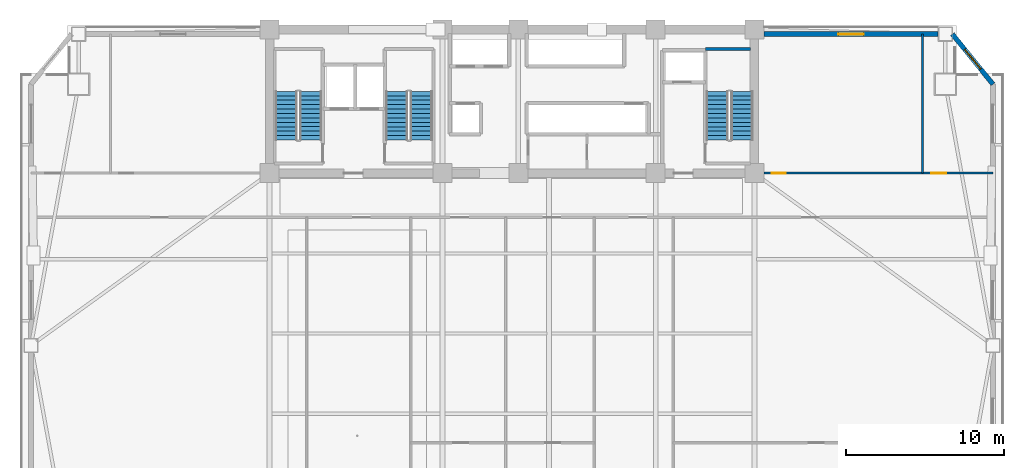
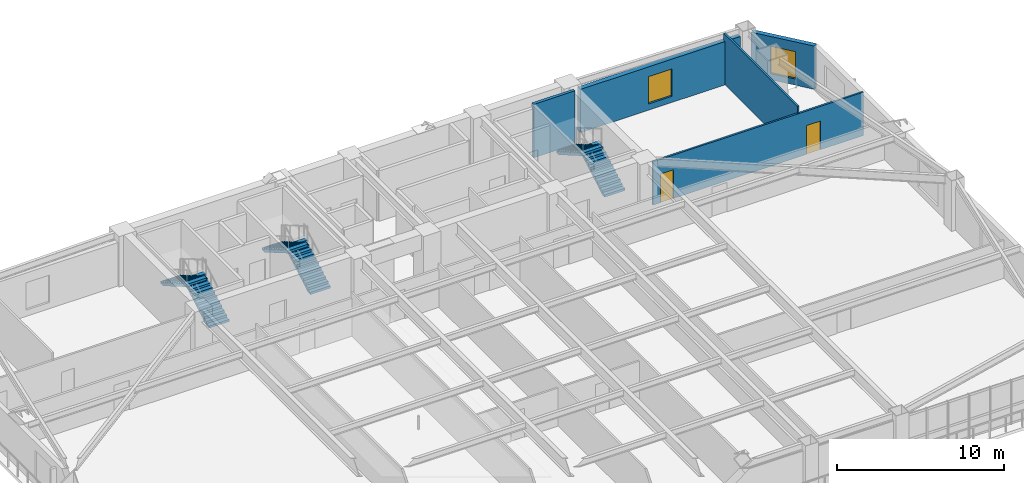
# One storey, part 10 of 15: 6 stair flights, 5 walls, 2 doors, 2 windows, 4 openings, 3 elements without a shape of their own.
"""IFC4 building model written with IfcOpenShell, lengths in metres."""

from ifc_helpers import new_model, si_unit, direction, frame, frame_2d, origin, place, context, subcontext, project, spatial, polyline, rectangle, outline, extrude, source, transform, mapped, material, layer, layer_set, type_object, element, fill, aggregate, save


model = new_model("IFC4")

# Units and contexts
model_context = context("Model", 3, precision=1e-05, world=origin(), true_north=direction((0.0, 1.0)))
body_context = subcontext(model_context, "Body", "Model", "MODEL_VIEW")
ifc_project = project(units=[si_unit("LENGTHUNIT", "METRE"), si_unit("AREAUNIT", "SQUARE_METRE"), si_unit("VOLUMEUNIT", "CUBIC_METRE"), si_unit("PLANEANGLEUNIT", "RADIAN"), si_unit("MASSUNIT", "GRAM", prefix="KILO")], contexts=[model_context])

# Site, building, storey
site_placement = place(None, origin())
site = spatial("IfcSite", under=ifc_project, at=site_placement, CompositionType="ELEMENT")
building_placement = place(site_placement, origin())
building = spatial("IfcBuilding", under=site, at=building_placement, Name="Giltprow Tower", CompositionType="ELEMENT")
storey_placement = place(building_placement, frame((0.0, 0.0, 115.300048828125)))
storey = spatial("IfcBuildingStorey", under=building, at=storey_placement, Name="L28", CompositionType="ELEMENT", Elevation=115.300048828125)

# Wall, opening, window
ifc_material_1 = material(Name="Precast concrete C40", Category="concrete")
ifc_layer_1 = layer(ifc_material_1, 0.300048828125, Name="Precast concrete C40")
ifc_layer_set_1 = layer_set([ifc_layer_1], Name="Precast concrete C40")
wall_type_1 = type_object("IfcWallType", Name="EW-NOTCH-CHAMFER-300", PredefinedType="SOLIDWALL", material=ifc_layer_set_1)
wall_1_placement = place(storey_placement, frame((65.656005859375, 43.0830078125, 0.0), z_axis=(0.0, 0.0, 1.0), x_axis=(-0.629663274091, 0.776868174957, 0.0)))
wall_1 = element("IfcWall", 1, at=wall_1_placement, inside=storey, type_object=wall_type_1, Name="L28 Corner Notch Wall NE", PredefinedType="SOLIDWALL", context=body_context, shape_type="SweptSolid", body=[
    extrude(rectangle(XDim=4.07666015625, YDim=0.300048828125, at=frame_2d((2.038330078125, 0.0))), origin(), (0.0, 0.0, 1.0), 3.159912109375),
])
opening_1_placement = place(wall_1_placement, frame((1.238037109375, 0.0, 0.449951171875)))
opening_1 = element("IfcOpeningElement", 2, at=opening_1_placement, cuts=wall_1, Name="Opening WN17", PredefinedType="OPENING", context=body_context, shape_type="SweptSolid", body=[
    extrude(rectangle(XDim=1.60009765625, YDim=2.0, at=frame_2d((0.800048828125, 1.0))), frame((0.0, 0.159912109375, 0.0), z_axis=(0.0, -1.0, 0.0), x_axis=(1.0, 0.0, 0.0)), (0.0, 0.0, 1.0), 0.320068359375),
])
ifc_material_2 = material(Name="Insulated glass", Category="glass")
window_type = type_object("IfcWindowType", Name="WN-COR-1600x2000", PartitioningType="SINGLE_PANEL", PredefinedType="WINDOW", material=ifc_material_2)
shared_shape_1 = source(origin(), body_context, "Body", "SweptSolid", [
    extrude(rectangle(XDim=1.60009765625, YDim=2.0, at=frame_2d((0.800048828125, 1.0))), frame((0.0, 0.030029296875, 0.0), z_axis=(0.0, -1.0, 0.0), x_axis=(1.0, 0.0, 0.0)), (0.0, 0.0, 1.0), 0.06005859375),
])
window_1_placement = place(opening_1_placement, origin())
window_1 = element("IfcWindow", 3, at=window_1_placement, inside=storey, type_object=window_type, Name="L28 Corner Notch Window NE", OverallHeight=2.0, OverallWidth=1.60009765625, PartitioningType="SINGLE_PANEL", PredefinedType="WINDOW", context=body_context, shape_type="MappedRepresentation", body=[
    mapped(shared_shape_1, transform((0.0, 0.0, 0.0), x_axis=(1.0, 0.0, 0.0), y_axis=(0.0, 1.0, 0.0), z_axis=(0.0, 0.0, 1.0), scale=1.0)),
])
fill(opening_1, window_1)

ifc_layer_2 = layer(ifc_material_1, 0.320068359375, Name="Precast concrete C40")
ifc_layer_set_2 = layer_set([ifc_layer_2], Name="Precast concrete C40")
wall_type_2 = type_object("IfcWallType", Name="EW-TOW-STONE-320", PredefinedType="SOLIDWALL", material=ifc_layer_set_2)
wall_2_placement = place(storey_placement, frame((51.14990234375, 46.25, 0.0), z_axis=(0.0, 0.0, 1.0), x_axis=(1.0, 0.0, 0.0)))
wall_2 = element("IfcWall", 4, at=wall_2_placement, inside=storey, type_object=wall_type_2, Name="L28 North-East Wing Wall", PredefinedType="SOLIDWALL", context=body_context, shape_type="SweptSolid", body=[
    extrude(rectangle(XDim=11.0390625, YDim=0.320068359375, at=frame_2d((5.51953125, 0.0))), origin(), (0.0, 0.0, 1.0), 3.159912109375),
])
opening_2_placement = place(wall_2_placement, frame((4.719970703125, 0.0, 0.449951171875)))
opening_2 = element("IfcOpeningElement", 5, at=opening_2_placement, cuts=wall_2, Name="Opening WN17", PredefinedType="OPENING", context=body_context, shape_type="SweptSolid", body=[
    extrude(rectangle(XDim=1.60009765625, YDim=2.0, at=frame_2d((0.800048828125, 1.0))), frame((0.0, 0.169921875, 0.0), z_axis=(0.0, -1.0, 0.0), x_axis=(1.0, 0.0, 0.0)), (0.0, 0.0, 1.0), 0.340087890625),
])
window_2_placement = place(opening_2_placement, origin())
window_2 = element("IfcWindow", 6, at=window_2_placement, inside=storey, type_object=window_type, Name="L28 North-East Window", OverallHeight=2.0, OverallWidth=1.60009765625, PartitioningType="SINGLE_PANEL", PredefinedType="WINDOW", context=body_context, shape_type="MappedRepresentation", body=[
    mapped(shared_shape_1, transform((0.0, 0.0, 0.0), x_axis=(1.0, 0.0, 0.0), y_axis=(0.0, 1.0, 0.0), z_axis=(0.0, 0.0, 1.0), scale=1.0)),
])
fill(opening_2, window_2)

# Wall
ifc_material_3 = material(Name="Concrete C40", Category="concrete")
ifc_layer_3 = layer(ifc_material_3, 0.199951171875, Name="Concrete C40")
ifc_layer_set_3 = layer_set([ifc_layer_3], Name="Concrete C40")
wall_type_3 = type_object("IfcWallType", Name="IW-STAIR-200", PredefinedType="SOLIDWALL", material=ifc_layer_set_3)
wall_3_placement = place(storey_placement, frame((47.43994140625, 45.320068359375, 0.0), z_axis=(0.0, 0.0, 1.0), x_axis=(1.0, 0.0, 0.0)))
element("IfcWall", 7, at=wall_3_placement, inside=storey, type_object=wall_type_3, Name="L28 Stair ST-3 North Bearing Wall", PredefinedType="SOLIDWALL", context=body_context, shape_type="SweptSolid", body=[
    extrude(rectangle(XDim=2.85498046875, YDim=0.199951171875, at=frame_2d((1.427490234375, 0.0))), origin(), (0.0, 0.0, 1.0), 3.89990234375),
])

# Wall, openings, doors
ifc_material_4 = material(Name="Concrete C30", Category="concrete")
ifc_layer_4 = layer(ifc_material_4, 0.1298828125, Name="Concrete C30")
ifc_layer_set_4 = layer_set([ifc_layer_4], Name="Concrete C30")
wall_type_4 = type_object("IfcWallType", Name="IW-WET-130", PredefinedType="PARTITIONING", material=ifc_layer_set_4)
wall_4_placement = place(storey_placement, frame((51.14990234375, 37.449951171875, 0.0), z_axis=(0.0, 0.0, 1.0), x_axis=(1.0, 0.0, 0.0)))
wall_4 = element("IfcWall", 8, at=wall_4_placement, inside=storey, type_object=wall_type_4, Name="L28 NE Wing South Wall", PredefinedType="PARTITIONING", context=body_context, shape_type="SweptSolid", body=[
    extrude(rectangle(XDim=14.506103515625, YDim=0.1298828125, at=frame_2d((7.2529296875, 0.0))), origin(), (0.0, 0.0, 1.0), 3.1650390625),
])
opening_3_placement = place(wall_4_placement, frame((0.5, 0.0, 0.0)))
opening_3 = element("IfcOpeningElement", 9, at=opening_3_placement, cuts=wall_4, Name="Opening ID15", PredefinedType="OPENING", context=body_context, shape_type="SweptSolid", body=[
    extrude(rectangle(XDim=0.89990234375, YDim=2.10009765625, at=frame_2d((0.449951171875, 1.050048828125))), frame((0.0, 0.074951171875, 0.0), z_axis=(0.0, -1.0, 0.0), x_axis=(1.0, 0.0, 0.0)), (0.0, 0.0, 1.0), 0.14990234375),
])
opening_4_placement = place(wall_4_placement, frame((10.593994140625, 0.0, 0.0)))
opening_4 = element("IfcOpeningElement", 10, at=opening_4_placement, cuts=wall_4, Name="Opening ID11", PredefinedType="OPENING", context=body_context, shape_type="SweptSolid", body=[
    extrude(rectangle(XDim=0.949951171875, YDim=2.10009765625, at=frame_2d((0.47509765625, 1.050048828125))), frame((0.0, 0.074951171875, 0.0), z_axis=(0.0, -1.0, 0.0), x_axis=(1.0, 0.0, 0.0)), (0.0, 0.0, 1.0), 0.14990234375),
])
ifc_material_5 = material(Name="Engineered timber", Category="wood")
door_type_1 = type_object("IfcDoorType", Name="DR-WC-900", OperationType="SINGLE_SWING_LEFT", PredefinedType="DOOR", material=ifc_material_5)
shared_shape_2 = source(origin(), body_context, "Body", "SweptSolid", [
    extrude(rectangle(XDim=0.89990234375, YDim=2.10009765625, at=frame_2d((0.449951171875, 1.050048828125))), frame((0.0, 0.02490234375, 0.0), z_axis=(0.0, -1.0, 0.0), x_axis=(1.0, 0.0, 0.0)), (0.0, 0.0, 1.0), 0.050048828125),
])
door_1_placement = place(opening_3_placement, origin())
door_1 = element("IfcDoor", 11, at=door_1_placement, inside=storey, type_object=door_type_1, Name="L28 East Wing Washroom Door", OperationType="SINGLE_SWING_RIGHT", OverallHeight=2.10009765625, OverallWidth=0.89990234375, PredefinedType="DOOR", context=body_context, shape_type="MappedRepresentation", body=[
    mapped(shared_shape_2, transform((0.0, 0.0, 0.0), x_axis=(1.0, 0.0, 0.0), y_axis=(0.0, 1.0, 0.0), z_axis=(0.0, 0.0, 1.0), scale=1.0)),
])
fill(opening_3, door_1)
door_type_2 = type_object("IfcDoorType", Name="DR-ROOM-950", OperationType="SINGLE_SWING_RIGHT", PredefinedType="DOOR", material=ifc_material_5)
shared_shape_3 = source(origin(), body_context, "Body", "SweptSolid", [
    extrude(rectangle(XDim=0.949951171875, YDim=2.10009765625, at=frame_2d((0.47509765625, 1.050048828125))), frame((0.0, 0.02490234375, 0.0), z_axis=(0.0, -1.0, 0.0), x_axis=(1.0, 0.0, 0.0)), (0.0, 0.0, 1.0), 0.050048828125),
])
door_2_placement = place(opening_4_placement, origin())
door_2 = element("IfcDoor", 12, at=door_2_placement, inside=storey, type_object=door_type_2, Name="L28 East Tenant Archive Store Door", OperationType="SINGLE_SWING_LEFT", OverallHeight=2.10009765625, OverallWidth=0.949951171875, PredefinedType="DOOR", context=body_context, shape_type="MappedRepresentation", body=[
    mapped(shared_shape_3, transform((0.0, 0.0, 0.0), x_axis=(1.0, 0.0, 0.0), y_axis=(0.0, 1.0, 0.0), z_axis=(0.0, 0.0, 1.0), scale=1.0)),
])
fill(opening_4, door_2)

# Wall
wall_5_placement = place(storey_placement, frame((61.194091796875, 37.449951171875, 0.0), z_axis=(0.0, 0.0, 1.0), x_axis=(0.0, 1.0, 0.0)))
element("IfcWall", 13, at=wall_5_placement, inside=storey, type_object=wall_type_4, Name="L28 NE Wing Divider", PredefinedType="PARTITIONING", context=body_context, shape_type="SweptSolid", body=[
    extrude(rectangle(XDim=8.800048828125, YDim=0.1298828125, at=frame_2d((4.39990234375, 0.0))), origin(), (0.0, 0.0, 1.0), 3.679931640625),
])

# Stair, stair flights
stair_type_1 = type_object("IfcStairType", Name="STR-ST-1", PredefinedType="HALF_TURN_STAIR", material=ifc_material_3)
stair_1_placement = place(storey_placement, origin())
stair_1 = element("IfcStair", 14, at=stair_1_placement, inside=storey, type_object=stair_type_1, Name="L28 Core Exit Stair ST-1", PredefinedType="HALF_TURN_STAIR")
stair_flight_type_1 = type_object("IfcStairFlightType", Name="SFL-ST-1", PredefinedType="STRAIGHT", material=ifc_material_3)
stair_flight_1_placement = place(storey_placement, frame((22.4599609375, 39.550048828125, 0.0), z_axis=(0.0, 0.0, 1.0), x_axis=(0.0, 1.0, 0.0)))
stair_flight_1 = element("IfcStairFlight", 15, at=stair_flight_1_placement, type_object=stair_flight_type_1, Name="ST-1 flight 1", NumberOfRisers=12, NumberOfTreads=11, PredefinedType="STRAIGHT", RiserHeight=0.1625, TreadLength=0.28, context=body_context, shape_type="SweptSolid", body=[
    extrude(outline(polyline([(0.0, 0.0), (0.0, 0.16259765625), (0.280029296875, 0.16259765625), (0.280029296875, 0.324951171875), (0.56005859375, 0.324951171875), (0.56005859375, 0.487548828125), (0.840087890625, 0.487548828125), (0.840087890625, 0.64990234375), (1.1201171875, 0.64990234375), (1.1201171875, 0.8125), (1.39990234375, 0.8125), (1.39990234375, 0.97509765625), (1.679931640625, 0.97509765625), (1.679931640625, 1.137451171875), (1.9599609375, 1.137451171875), (1.9599609375, 1.300048828125), (2.239990234375, 1.300048828125), (2.239990234375, 1.46240234375), (2.52001953125, 1.46240234375), (2.52001953125, 1.625), (2.800048828125, 1.625), (2.800048828125, 1.78759765625), (3.080078125, 1.78759765625), (3.080078125, 1.949951171875), (3.080078125, 1.6142578125), (0.298583984375, 0.0), (0.0, 0.0)])), frame((0.0, 0.699951171875, 0.0), z_axis=(0.0, -1.0, 0.0), x_axis=(1.0, 0.0, 0.0)), (0.0, 0.0, 1.0), 1.39990234375),
])
stair_flight_2_placement = place(storey_placement, frame((20.89990234375, 42.6298828125, 1.949951171875), z_axis=(0.0, 0.0, 1.0), x_axis=(0.0, -1.0, 0.0)))
stair_flight_2 = element("IfcStairFlight", 16, at=stair_flight_2_placement, type_object=stair_flight_type_1, Name="ST-1 flight 2", NumberOfRisers=12, NumberOfTreads=11, PredefinedType="STRAIGHT", RiserHeight=0.1625, TreadLength=0.28, context=body_context, shape_type="SweptSolid", body=[
    extrude(outline(polyline([(0.0, 0.0), (0.0, 0.16259765625), (0.280029296875, 0.16259765625), (0.280029296875, 0.324951171875), (0.56005859375, 0.324951171875), (0.56005859375, 0.487548828125), (0.840087890625, 0.487548828125), (0.840087890625, 0.64990234375), (1.1201171875, 0.64990234375), (1.1201171875, 0.8125), (1.39990234375, 0.8125), (1.39990234375, 0.97509765625), (1.679931640625, 0.97509765625), (1.679931640625, 1.137451171875), (1.9599609375, 1.137451171875), (1.9599609375, 1.300048828125), (2.239990234375, 1.300048828125), (2.239990234375, 1.46240234375), (2.52001953125, 1.46240234375), (2.52001953125, 1.625), (2.800048828125, 1.625), (2.800048828125, 1.78759765625), (3.080078125, 1.78759765625), (3.080078125, 1.949951171875), (3.080078125, 1.6142578125), (0.298583984375, 0.0), (0.0, 0.0)])), frame((0.0, 0.699951171875, 0.0), z_axis=(0.0, -1.0, 0.0), x_axis=(1.0, 0.0, 0.0)), (0.0, 0.0, 1.0), 1.39990234375),
])
aggregate(stair_1, [stair_flight_1, stair_flight_2])

stair_type_2 = type_object("IfcStairType", Name="STR-ST-2", PredefinedType="HALF_TURN_STAIR", material=ifc_material_3)
stair_2_placement = place(storey_placement, origin())
stair_2 = element("IfcStair", 17, at=stair_2_placement, inside=storey, type_object=stair_type_2, Name="L28 Core Exit Stair ST-2", PredefinedType="HALF_TURN_STAIR")
stair_flight_type_2 = type_object("IfcStairFlightType", Name="SFL-ST-2", PredefinedType="STRAIGHT", material=ifc_material_3)
stair_flight_3_placement = place(storey_placement, frame((29.4599609375, 39.550048828125, 0.0), z_axis=(0.0, 0.0, 1.0), x_axis=(0.0, 1.0, 0.0)))
stair_flight_3 = element("IfcStairFlight", 18, at=stair_flight_3_placement, type_object=stair_flight_type_2, Name="ST-2 flight 1", NumberOfRisers=12, NumberOfTreads=11, PredefinedType="STRAIGHT", RiserHeight=0.1625, TreadLength=0.28, context=body_context, shape_type="SweptSolid", body=[
    extrude(outline(polyline([(0.0, 0.0), (0.0, 0.16259765625), (0.280029296875, 0.16259765625), (0.280029296875, 0.324951171875), (0.56005859375, 0.324951171875), (0.56005859375, 0.487548828125), (0.840087890625, 0.487548828125), (0.840087890625, 0.64990234375), (1.1201171875, 0.64990234375), (1.1201171875, 0.8125), (1.39990234375, 0.8125), (1.39990234375, 0.97509765625), (1.679931640625, 0.97509765625), (1.679931640625, 1.137451171875), (1.9599609375, 1.137451171875), (1.9599609375, 1.300048828125), (2.239990234375, 1.300048828125), (2.239990234375, 1.46240234375), (2.52001953125, 1.46240234375), (2.52001953125, 1.625), (2.800048828125, 1.625), (2.800048828125, 1.78759765625), (3.080078125, 1.78759765625), (3.080078125, 1.949951171875), (3.080078125, 1.6142578125), (0.298583984375, 0.0), (0.0, 0.0)])), frame((0.0, 0.699951171875, 0.0), z_axis=(0.0, -1.0, 0.0), x_axis=(1.0, 0.0, 0.0)), (0.0, 0.0, 1.0), 1.39990234375),
])
stair_flight_4_placement = place(storey_placement, frame((27.89990234375, 42.6298828125, 1.949951171875), z_axis=(0.0, 0.0, 1.0), x_axis=(0.0, -1.0, 0.0)))
stair_flight_4 = element("IfcStairFlight", 19, at=stair_flight_4_placement, type_object=stair_flight_type_2, Name="ST-2 flight 2", NumberOfRisers=12, NumberOfTreads=11, PredefinedType="STRAIGHT", RiserHeight=0.1625, TreadLength=0.28, context=body_context, shape_type="SweptSolid", body=[
    extrude(outline(polyline([(0.0, 0.0), (0.0, 0.16259765625), (0.280029296875, 0.16259765625), (0.280029296875, 0.324951171875), (0.56005859375, 0.324951171875), (0.56005859375, 0.487548828125), (0.840087890625, 0.487548828125), (0.840087890625, 0.64990234375), (1.1201171875, 0.64990234375), (1.1201171875, 0.8125), (1.39990234375, 0.8125), (1.39990234375, 0.97509765625), (1.679931640625, 0.97509765625), (1.679931640625, 1.137451171875), (1.9599609375, 1.137451171875), (1.9599609375, 1.300048828125), (2.239990234375, 1.300048828125), (2.239990234375, 1.46240234375), (2.52001953125, 1.46240234375), (2.52001953125, 1.625), (2.800048828125, 1.625), (2.800048828125, 1.78759765625), (3.080078125, 1.78759765625), (3.080078125, 1.949951171875), (3.080078125, 1.6142578125), (0.298583984375, 0.0), (0.0, 0.0)])), frame((0.0, 0.699951171875, 0.0), z_axis=(0.0, -1.0, 0.0), x_axis=(1.0, 0.0, 0.0)), (0.0, 0.0, 1.0), 1.39990234375),
])
aggregate(stair_2, [stair_flight_3, stair_flight_4])

stair_type_3 = type_object("IfcStairType", Name="STR-ST-3", PredefinedType="HALF_TURN_STAIR", material=ifc_material_3)
stair_3_placement = place(storey_placement, origin())
stair_3 = element("IfcStair", 20, at=stair_3_placement, inside=storey, type_object=stair_type_3, Name="L28 Core Exit Stair ST-3", PredefinedType="HALF_TURN_STAIR")
stair_flight_type_3 = type_object("IfcStairFlightType", Name="SFL-ST-3", PredefinedType="STRAIGHT", material=ifc_material_3)
stair_flight_5_placement = place(storey_placement, frame((49.760009765625, 39.550048828125, 0.0), z_axis=(0.0, 0.0, 1.0), x_axis=(0.0, 1.0, 0.0)))
stair_flight_5 = element("IfcStairFlight", 21, at=stair_flight_5_placement, type_object=stair_flight_type_3, Name="ST-3 flight 1", NumberOfRisers=12, NumberOfTreads=11, PredefinedType="STRAIGHT", RiserHeight=0.1625, TreadLength=0.28, context=body_context, shape_type="SweptSolid", body=[
    extrude(outline(polyline([(0.0, 0.0), (0.0, 0.16259765625), (0.280029296875, 0.16259765625), (0.280029296875, 0.324951171875), (0.56005859375, 0.324951171875), (0.56005859375, 0.487548828125), (0.840087890625, 0.487548828125), (0.840087890625, 0.64990234375), (1.1201171875, 0.64990234375), (1.1201171875, 0.8125), (1.39990234375, 0.8125), (1.39990234375, 0.97509765625), (1.679931640625, 0.97509765625), (1.679931640625, 1.137451171875), (1.9599609375, 1.137451171875), (1.9599609375, 1.300048828125), (2.239990234375, 1.300048828125), (2.239990234375, 1.46240234375), (2.52001953125, 1.46240234375), (2.52001953125, 1.625), (2.800048828125, 1.625), (2.800048828125, 1.78759765625), (3.080078125, 1.78759765625), (3.080078125, 1.949951171875), (3.080078125, 1.6142578125), (0.298583984375, 0.0), (0.0, 0.0)])), frame((0.0, 0.699951171875, 0.0), z_axis=(0.0, -1.0, 0.0), x_axis=(1.0, 0.0, 0.0)), (0.0, 0.0, 1.0), 1.39990234375),
])
stair_flight_6_placement = place(storey_placement, frame((48.199951171875, 42.6298828125, 1.949951171875), z_axis=(0.0, 0.0, 1.0), x_axis=(0.0, -1.0, 0.0)))
stair_flight_6 = element("IfcStairFlight", 22, at=stair_flight_6_placement, type_object=stair_flight_type_3, Name="ST-3 flight 2", NumberOfRisers=12, NumberOfTreads=11, PredefinedType="STRAIGHT", RiserHeight=0.1625, TreadLength=0.28, context=body_context, shape_type="SweptSolid", body=[
    extrude(outline(polyline([(0.0, 0.0), (0.0, 0.16259765625), (0.280029296875, 0.16259765625), (0.280029296875, 0.324951171875), (0.56005859375, 0.324951171875), (0.56005859375, 0.487548828125), (0.840087890625, 0.487548828125), (0.840087890625, 0.64990234375), (1.1201171875, 0.64990234375), (1.1201171875, 0.8125), (1.39990234375, 0.8125), (1.39990234375, 0.97509765625), (1.679931640625, 0.97509765625), (1.679931640625, 1.137451171875), (1.9599609375, 1.137451171875), (1.9599609375, 1.300048828125), (2.239990234375, 1.300048828125), (2.239990234375, 1.46240234375), (2.52001953125, 1.46240234375), (2.52001953125, 1.625), (2.800048828125, 1.625), (2.800048828125, 1.78759765625), (3.080078125, 1.78759765625), (3.080078125, 1.949951171875), (3.080078125, 1.6142578125), (0.298583984375, 0.0), (0.0, 0.0)])), frame((0.0, 0.699951171875, 0.0), z_axis=(0.0, -1.0, 0.0), x_axis=(1.0, 0.0, 0.0)), (0.0, 0.0, 1.0), 1.39990234375),
])
aggregate(stair_3, [stair_flight_5, stair_flight_6])

save(model, "model.ifc")
